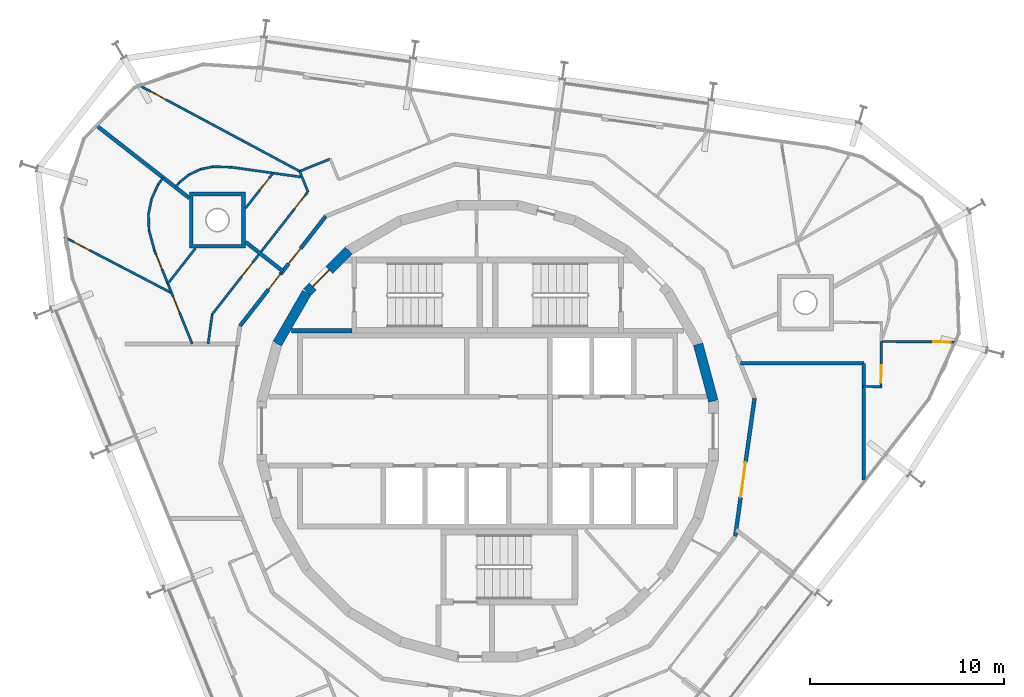
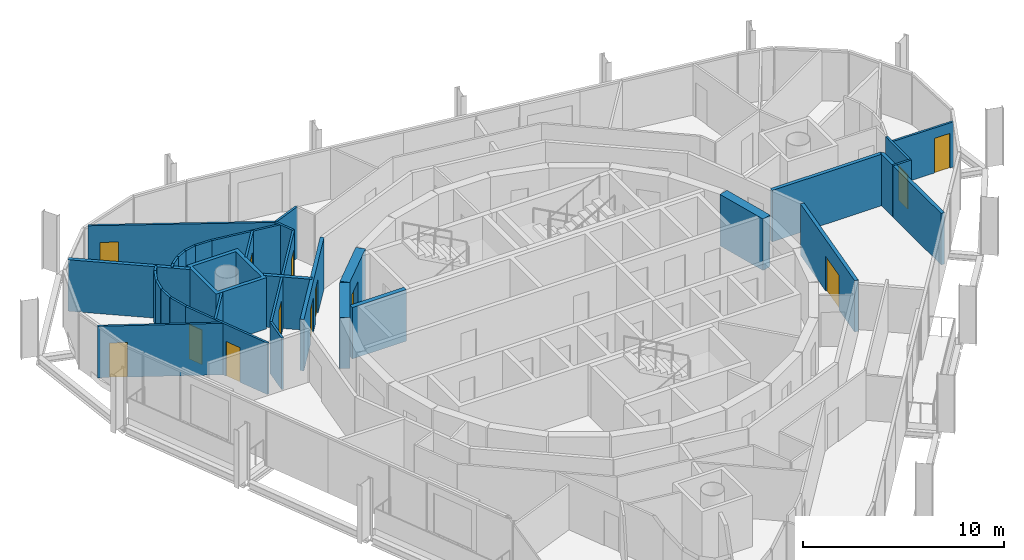
# One storey, part 12 of 15: 34 walls, 13 doors, 13 openings.
"""IFC4 building model written with IfcOpenShell, lengths in metres."""

from ifc_helpers import new_model, si_unit, direction, frame, frame_2d, origin, place, context, subcontext, project, spatial, polyline, rectangle, outline, extrude, material, layer, layer_set, type_object, element, fill, save


model = new_model("IFC4")

# Units and contexts
model_context = context("Model", 3, precision=1e-05, world=origin(), true_north=direction((0.0, 1.0)))
body_context = subcontext(model_context, "Body", "Model", "MODEL_VIEW")
ifc_project = project(units=[si_unit("LENGTHUNIT", "METRE"), si_unit("AREAUNIT", "SQUARE_METRE"), si_unit("VOLUMEUNIT", "CUBIC_METRE"), si_unit("PLANEANGLEUNIT", "RADIAN"), si_unit("MASSUNIT", "GRAM", prefix="KILO")], contexts=[model_context])

# Site, building, storey
site_placement = place(None, origin())
site = spatial("IfcSite", under=ifc_project, at=site_placement, CompositionType="ELEMENT")
building_placement = place(site_placement, origin())
building = spatial("IfcBuilding", under=site, at=building_placement, Name="Spindle Arch Residences", CompositionType="ELEMENT")
storey_placement = place(building_placement, frame((0.0, 0.0, 350.5)))
storey = spatial("IfcBuildingStorey", under=building, at=storey_placement, Name="L90", CompositionType="ELEMENT", Elevation=350.5)

# Wall
ifc_material_1 = material(Name="Concrete C50/60", Category="concrete")
ifc_layer_1 = layer(ifc_material_1, 0.5)
ifc_layer_set_1 = layer_set([ifc_layer_1], Name="Core outline wall 500")
wall_type_1 = type_object("IfcWallType", Name="Core outline wall 500", PredefinedType="SHEAR", material=ifc_layer_set_1)
wall_1_placement = place(storey_placement, frame((11.642822265625, 1.5498046875, 0.0), z_axis=(0.0, 0.0, 1.0), x_axis=(-0.258734743916, 0.965948410781, 0.0)))
element("IfcWall", 1, at=wall_1_placement, inside=storey, type_object=wall_type_1, Name="Core outline wall 7", PredefinedType="SHEAR", context=body_context, shape_type="SweptSolid", body=[
    extrude(rectangle(XDim=3.03271484375, YDim=0.5, at=frame_2d((1.516357421875, 0.0))), origin(), (0.0, 0.0, 1.0), 3.1201171875),
])

# Wall, opening, door
wall_2_placement = place(storey_placement, frame((-7.163818359375, 9.30810546875, 0.0), z_axis=(0.0, 0.0, 1.0), x_axis=(-0.707106781187, -0.707106781187, 0.0)))
wall_2 = element("IfcWall", 2, at=wall_2_placement, inside=storey, type_object=wall_type_1, Name="Core outline wall 15", PredefinedType="SHEAR", context=body_context, shape_type="SweptSolid", body=[
    extrude(rectangle(XDim=3.032470703125, YDim=0.5, at=frame_2d((1.51611328125, 0.0))), origin(), (0.0, 0.0, 1.0), 3.1201171875),
])
opening_1_placement = place(wall_2_placement, frame((1.416259765625, 0.0, 0.0)))
opening_1 = element("IfcOpeningElement", 3, at=opening_1_placement, cuts=wall_2, Name="Opening R9B1-AD02", PredefinedType="OPENING", context=body_context, shape_type="SweptSolid", body=[
    extrude(rectangle(XDim=1.199951171875, YDim=2.10009765625, at=frame_2d((0.60009765625, 1.050048828125))), frame((0.0, 0.260009765625, 0.0), z_axis=(0.0, -1.0, 0.0), x_axis=(1.0, 0.0, 0.0)), (0.0, 0.0, 1.0), 0.52001953125),
])
ifc_material_2 = material(Name="Steel, fire-resisting door", Category="steel")
door_type_1 = type_object("IfcDoorType", Name="Stair airlock door 1200x2100", OperationType="SINGLE_SWING_LEFT", PredefinedType="DOOR", material=ifc_material_2)
door_1_placement = place(opening_1_placement, origin())
door_1 = element("IfcDoor", 4, at=door_1_placement, inside=storey, type_object=door_type_1, Name="Stair airlock door R9B1-AD02", OperationType="SINGLE_SWING_RIGHT", OverallHeight=2.10009765625, OverallWidth=1.199951171875, PredefinedType="DOOR", context=body_context, shape_type="SweptSolid", body=[
    extrude(rectangle(XDim=1.199951171875, YDim=2.10009765625, at=frame_2d((0.60009765625, 1.050048828125))), frame((0.0, 0.02490234375, 0.0), z_axis=(0.0, -1.0, 0.0), x_axis=(1.0, 0.0, 0.0)), (0.0, 0.0, 1.0), 0.050048828125),
])
fill(opening_1, door_1)

# Wall
wall_3_placement = place(storey_placement, frame((-9.32861328125, 7.13671875, 0.0), z_axis=(0.0, 0.0, 1.0), x_axis=(-0.500087131594, -0.865975092491, 0.0)))
element("IfcWall", 5, at=wall_3_placement, inside=storey, type_object=wall_type_1, Name="Core outline wall 16", PredefinedType="SHEAR", context=body_context, shape_type="SweptSolid", body=[
    extrude(rectangle(XDim=3.03271484375, YDim=0.5, at=frame_2d((1.516357421875, 0.0))), origin(), (0.0, 0.0, 1.0), 3.1201171875),
])

# Wall, openings, doors
ifc_material_3 = material(Name="Calcium silicate block, plastered")
ifc_layer_2 = layer(ifc_material_3, 0.199951171875)
ifc_layer_set_2 = layer_set([ifc_layer_2], Name="Corridor wall 200")
wall_type_2 = type_object("IfcWallType", Name="Corridor wall 200", PredefinedType="STANDARD", material=ifc_layer_set_2)
wall_4_placement = place(storey_placement, frame((-8.348876953125, 11.0791015625, 0.0), z_axis=(0.0, 0.0, 1.0), x_axis=(-0.615669112324, -0.78800478687, 0.0)))
wall_4 = element("IfcWall", 6, at=wall_4_placement, inside=storey, type_object=wall_type_2, Name="Corridor wall R9B1-W012", PredefinedType="STANDARD", context=body_context, shape_type="SweptSolid", body=[
    extrude(rectangle(XDim=7.18115234375, YDim=0.199951171875, at=frame_2d((3.590576171875, 0.0))), origin(), (0.0, 0.0, 1.0), 3.1201171875),
])
opening_2_placement = place(wall_4_placement, frame((2.10009765625, 0.0, 0.0)))
opening_2 = element("IfcOpeningElement", 7, at=opening_2_placement, cuts=wall_4, Name="Opening R9B1-FD03", PredefinedType="OPENING", context=body_context, shape_type="SweptSolid", body=[
    extrude(rectangle(XDim=1.0, YDim=2.10009765625, at=frame_2d((0.5, 1.050048828125))), frame((0.0, 0.10986328125, 0.0), z_axis=(0.0, -1.0, 0.0), x_axis=(1.0, 0.0, 0.0)), (0.0, 0.0, 1.0), 0.219970703125),
])
opening_3_placement = place(wall_4_placement, frame((3.790283203125, 0.0, 0.0)))
opening_3 = element("IfcOpeningElement", 8, at=opening_3_placement, cuts=wall_4, Name="Opening R9B1-FD04", PredefinedType="OPENING", context=body_context, shape_type="SweptSolid", body=[
    extrude(rectangle(XDim=1.0, YDim=2.10009765625, at=frame_2d((0.5, 1.050048828125))), frame((0.0, 0.10986328125, 0.0), z_axis=(0.0, -1.0, 0.0), x_axis=(1.0, 0.0, 0.0)), (0.0, 0.0, 1.0), 0.219970703125),
])
ifc_material_4 = material(Name="Timber, fire-resisting door set", Category="wood")
door_type_2 = type_object("IfcDoorType", Name="Flat entrance door 1000x2100", OperationType="NOTDEFINED", PredefinedType="DOOR", material=ifc_material_4)
door_2_placement = place(opening_2_placement, origin())
door_2 = element("IfcDoor", 9, at=door_2_placement, inside=storey, type_object=door_type_2, Name="Flat entrance door R9B1-FD03", OperationType="SINGLE_SWING_RIGHT", OverallHeight=2.10009765625, OverallWidth=1.0, PredefinedType="DOOR", context=body_context, shape_type="SweptSolid", body=[
    extrude(rectangle(XDim=1.0, YDim=2.10009765625, at=frame_2d((0.5, 1.050048828125))), frame((0.0, 0.02490234375, 0.0), z_axis=(0.0, -1.0, 0.0), x_axis=(1.0, 0.0, 0.0)), (0.0, 0.0, 1.0), 0.050048828125),
])
fill(opening_2, door_2)
door_3_placement = place(opening_3_placement, origin())
door_3 = element("IfcDoor", 10, at=door_3_placement, inside=storey, type_object=door_type_2, Name="Flat entrance door R9B1-FD04", OperationType="SINGLE_SWING_LEFT", OverallHeight=2.10009765625, OverallWidth=1.0, PredefinedType="DOOR", context=body_context, shape_type="SweptSolid", body=[
    extrude(rectangle(XDim=1.0, YDim=2.10009765625, at=frame_2d((0.5, 1.050048828125))), frame((0.0, 0.02490234375, 0.0), z_axis=(0.0, -1.0, 0.0), x_axis=(1.0, 0.0, 0.0)), (0.0, 0.0, 1.0), 0.050048828125),
])
fill(opening_3, door_3)

# Wall, opening, door
ifc_material_5 = material(Name="Calcium silicate block, plastered")
ifc_layer_3 = layer(ifc_material_5, 0.199951171875)
ifc_layer_set_3 = layer_set([ifc_layer_3], Name="Fire-lift lobby bay wall 200")
wall_type_3 = type_object("IfcWallType", Name="Fire-lift lobby bay wall 200", PredefinedType="STANDARD", material=ifc_layer_set_3)
wall_5_placement = place(storey_placement, frame((12.77001953125, -5.42041015625, 0.0), z_axis=(0.0, 0.0, 1.0), x_axis=(0.139155334385, 0.990270565508, 0.0)))
wall_5 = element("IfcWall", 11, at=wall_5_placement, inside=storey, type_object=wall_type_3, Name="Fire-lift lobby bay wall R9B1-W004", PredefinedType="STANDARD", context=body_context, shape_type="SweptSolid", body=[
    extrude(rectangle(XDim=7.180908203125, YDim=0.199951171875, at=frame_2d((3.59033203125, 0.0))), origin(), (0.0, 0.0, 1.0), 3.1201171875),
])
opening_4_placement = place(wall_5_placement, frame((2.039306640625, 0.0, 0.0)))
opening_4 = element("IfcOpeningElement", 12, at=opening_4_placement, cuts=wall_5, Name="Opening R9B1-FB01", PredefinedType="OPENING", context=body_context, shape_type="SweptSolid", body=[
    extrude(rectangle(XDim=1.800048828125, YDim=2.10009765625, at=frame_2d((0.89990234375, 1.050048828125))), frame((0.0, 0.10986328125, 0.0), z_axis=(0.0, -1.0, 0.0), x_axis=(1.0, 0.0, 0.0)), (0.0, 0.0, 1.0), 0.219970703125),
])
ifc_material_6 = material(Name="Steel, fire-resisting door", Category="steel")
door_type_3 = type_object("IfcDoorType", Name="Fire-lift lobby bay door 1800x2100", OperationType="NOTDEFINED", PredefinedType="DOOR", material=ifc_material_6)
door_4_placement = place(opening_4_placement, origin())
door_4 = element("IfcDoor", 13, at=door_4_placement, inside=storey, type_object=door_type_3, Name="Fire-lift lobby bay door R9B1-FB01", OperationType="DOUBLE_DOOR_SINGLE_SWING", OverallHeight=2.10009765625, OverallWidth=1.800048828125, PredefinedType="DOOR", context=body_context, shape_type="SweptSolid", body=[
    extrude(rectangle(XDim=1.800048828125, YDim=2.10009765625, at=frame_2d((0.89990234375, 1.050048828125))), frame((0.0, 0.02490234375, 0.0), z_axis=(0.0, -1.0, 0.0), x_axis=(1.0, 0.0, 0.0)), (0.0, 0.0, 1.0), 0.050048828125),
])
fill(opening_4, door_4)

# Walls
wall_6_placement = place(storey_placement, frame((19.39990234375, -2.519287109375, 0.0), z_axis=(0.0, 0.0, 1.0), x_axis=(0.0, 1.0, 0.0)))
element("IfcWall", 14, at=wall_6_placement, inside=storey, type_object=wall_type_3, Name="Fire-lift lobby bay wall R9B1-W019", PredefinedType="STANDARD", context=body_context, shape_type="SweptSolid", body=[
    extrude(rectangle(XDim=6.019287109375, YDim=0.199951171875, at=frame_2d((3.009765625, 0.0))), origin(), (0.0, 0.0, 1.0), 3.1201171875),
])
wall_7_placement = place(storey_placement, frame((19.39990234375, 3.5, 0.0), z_axis=(0.0, 0.0, 1.0), x_axis=(-1.0, 0.0, 0.0)))
element("IfcWall", 15, at=wall_7_placement, inside=storey, type_object=wall_type_3, Name="Fire-lift lobby bay wall R9B1-W020", PredefinedType="STANDARD", context=body_context, shape_type="SweptSolid", body=[
    extrude(rectangle(XDim=6.361572265625, YDim=0.199951171875, at=frame_2d((3.1806640625, 0.0))), origin(), (0.0, 0.0, 1.0), 3.1201171875),
])
ifc_material_7 = material(Name="Plasterboard on steel studs", Category="steel")
ifc_layer_4 = layer(ifc_material_7, 0.1201171875)
ifc_layer_set_4 = layer_set([ifc_layer_4], Name="Flat partition 120")
wall_type_4 = type_object("IfcWallType", Name="Flat partition 120", PredefinedType="PARTITIONING", material=ifc_layer_set_4)
wall_8_placement = place(storey_placement, frame((19.300048828125, 2.302001953125, 0.0), z_axis=(0.0, 0.0, 1.0), x_axis=(0.999958506341, -0.009109643015, 0.0)))
element("IfcWall", 16, at=wall_8_placement, inside=storey, type_object=wall_type_4, Name="Flat partition R9B1-W030", PredefinedType="PARTITIONING", context=body_context, shape_type="SweptSolid", body=[
    extrude(rectangle(XDim=1.045166015625, YDim=0.1201171875, at=frame_2d((0.5224609375, 0.0))), origin(), (0.0, 0.0, 1.0), 3.1201171875),
])

# Wall, opening, door
wall_9_placement = place(storey_placement, frame((20.285400390625, 2.29296875, 0.0), z_axis=(0.0, 0.0, 1.0), x_axis=(0.008900171034, 0.999960392693, 0.0)))
wall_9 = element("IfcWall", 17, at=wall_9_placement, inside=storey, type_object=wall_type_4, Name="Flat partition R9B1-W031", PredefinedType="PARTITIONING", context=body_context, shape_type="SweptSolid", body=[
    extrude(rectangle(XDim=2.33154296875, YDim=0.1201171875, at=frame_2d((1.165771484375, 0.0))), origin(), (0.0, 0.0, 1.0), 3.1201171875),
])
opening_5_placement = place(wall_9_placement, frame((0.199951171875, 0.0, 0.0)))
opening_5 = element("IfcOpeningElement", 18, at=opening_5_placement, cuts=wall_9, Name="Opening R9B1-ID01", PredefinedType="OPENING", context=body_context, shape_type="SweptSolid", body=[
    extrude(rectangle(XDim=0.89990234375, YDim=2.10009765625, at=frame_2d((0.449951171875, 1.050048828125))), frame((0.0, 0.070068359375, 0.0), z_axis=(0.0, -1.0, 0.0), x_axis=(1.0, 0.0, 0.0)), (0.0, 0.0, 1.0), 0.14013671875),
])
ifc_material_8 = material(Name="Timber door set", Category="wood")
door_type_4 = type_object("IfcDoorType", Name="Room door 900x2100", OperationType="NOTDEFINED", PredefinedType="DOOR", material=ifc_material_8)
door_5_placement = place(opening_5_placement, origin())
door_5 = element("IfcDoor", 19, at=door_5_placement, inside=storey, type_object=door_type_4, Name="Room door R9B1-ID01", OperationType="SINGLE_SWING_RIGHT", OverallHeight=2.10009765625, OverallWidth=0.89990234375, PredefinedType="DOOR", context=body_context, shape_type="SweptSolid", body=[
    extrude(rectangle(XDim=0.89990234375, YDim=2.10009765625, at=frame_2d((0.449951171875, 1.050048828125))), frame((0.0, 0.02490234375, 0.0), z_axis=(0.0, -1.0, 0.0), x_axis=(1.0, 0.0, 0.0)), (0.0, 0.0, 1.0), 0.050048828125),
])
fill(opening_5, door_5)

# Walls
wall_10_placement = place(storey_placement, frame((-8.114501953125, 14.03857421875, 0.0), z_axis=(0.0, 0.0, 1.0), x_axis=(-0.927153589835, -0.374681492546, 0.0)))
element("IfcWall", 20, at=wall_10_placement, inside=storey, type_object=wall_type_4, Name="Flat partition R9B1-W051", PredefinedType="PARTITIONING", context=body_context, shape_type="SweptSolid", body=[
    extrude(rectangle(XDim=1.699951171875, YDim=0.1201171875, at=frame_2d((0.85009765625, 0.0))), origin(), (0.0, 0.0, 1.0), 3.1201171875),
])
wall_11_placement = place(storey_placement, frame((-9.690673828125, 13.401611328125, 0.0), z_axis=(0.0, 0.0, 1.0), x_axis=(0.374484003097, -0.927233374844, 0.0)))
element("IfcWall", 21, at=wall_11_placement, inside=storey, type_object=wall_type_4, Name="Flat partition R9B1-W052", PredefinedType="PARTITIONING", context=body_context, shape_type="SweptSolid", body=[
    extrude(rectangle(XDim=1.156005859375, YDim=0.1201171875, at=frame_2d((0.578125, 0.0))), origin(), (0.0, 0.0, 1.0), 3.1201171875),
])

# Wall, openings, doors
wall_12_placement = place(storey_placement, frame((-9.283447265625, 12.3193359375, 0.0), z_axis=(0.0, 0.0, 1.0), x_axis=(-0.61567489546, -0.788000268464, 0.0)))
wall_12 = element("IfcWall", 22, at=wall_12_placement, inside=storey, type_object=wall_type_4, Name="Flat partition R9B1-W053", PredefinedType="PARTITIONING", context=body_context, shape_type="SweptSolid", body=[
    extrude(rectangle(XDim=7.98486328125, YDim=0.1201171875, at=frame_2d((3.992431640625, 0.0))), origin(), (0.0, 0.0, 1.0), 3.1201171875),
])
opening_6_placement = place(wall_12_placement, frame((0.199951171875, 0.0, 0.0)))
opening_6 = element("IfcOpeningElement", 23, at=opening_6_placement, cuts=wall_12, Name="Opening R9B1-ID10", PredefinedType="OPENING", context=body_context, shape_type="SweptSolid", body=[
    extrude(rectangle(XDim=0.89990234375, YDim=2.10009765625, at=frame_2d((0.449951171875, 1.050048828125))), frame((0.0, 0.070068359375, 0.0), z_axis=(0.0, -1.0, 0.0), x_axis=(1.0, 0.0, 0.0)), (0.0, 0.0, 1.0), 0.14013671875),
])
opening_7_placement = place(wall_12_placement, frame((4.59228515625, 0.0, 0.0)))
opening_7 = element("IfcOpeningElement", 24, at=opening_7_placement, cuts=wall_12, Name="Opening R9B1-ID12", PredefinedType="OPENING", context=body_context, shape_type="SweptSolid", body=[
    extrude(rectangle(XDim=0.89990234375, YDim=2.10009765625, at=frame_2d((0.449951171875, 1.050048828125))), frame((0.0, 0.070068359375, 0.0), z_axis=(0.0, -1.0, 0.0), x_axis=(1.0, 0.0, 0.0)), (0.0, 0.0, 1.0), 0.14013671875),
])
door_6_placement = place(opening_6_placement, origin())
door_6 = element("IfcDoor", 25, at=door_6_placement, inside=storey, type_object=door_type_4, Name="Room door R9B1-ID10", OperationType="SINGLE_SWING_RIGHT", OverallHeight=2.10009765625, OverallWidth=0.89990234375, PredefinedType="DOOR", context=body_context, shape_type="SweptSolid", body=[
    extrude(rectangle(XDim=0.89990234375, YDim=2.10009765625, at=frame_2d((0.449951171875, 1.050048828125))), frame((0.0, 0.02490234375, 0.0), z_axis=(0.0, -1.0, 0.0), x_axis=(1.0, 0.0, 0.0)), (0.0, 0.0, 1.0), 0.050048828125),
])
fill(opening_6, door_6)
door_7_placement = place(opening_7_placement, origin())
door_7 = element("IfcDoor", 26, at=door_7_placement, inside=storey, type_object=door_type_4, Name="Room door R9B1-ID12", OperationType="SINGLE_SWING_LEFT", OverallHeight=2.10009765625, OverallWidth=0.89990234375, PredefinedType="DOOR", context=body_context, shape_type="SweptSolid", body=[
    extrude(rectangle(XDim=0.89990234375, YDim=2.10009765625, at=frame_2d((0.449951171875, 1.050048828125))), frame((0.0, 0.02490234375, 0.0), z_axis=(0.0, -1.0, 0.0), x_axis=(1.0, 0.0, 0.0)), (0.0, 0.0, 1.0), 0.050048828125),
])
fill(opening_7, door_7)

# Wall, opening, door
wall_13_placement = place(storey_placement, frame((-17.895751953125, 17.796630859375, 0.0), z_axis=(0.0, 0.0, 1.0), x_axis=(0.88150492406, -0.4721748287, 0.0)))
wall_13 = element("IfcWall", 27, at=wall_13_placement, inside=storey, type_object=wall_type_4, Name="Flat partition R9B1-W055", PredefinedType="PARTITIONING", context=body_context, shape_type="SweptSolid", body=[
    extrude(rectangle(XDim=9.30810546875, YDim=0.1201171875, at=frame_2d((4.654052734375, 0.0))), origin(), (0.0, 0.0, 1.0), 3.1201171875),
])
opening_8_placement = place(wall_13_placement, frame((0.60009765625, 0.0, 0.0)))
opening_8 = element("IfcOpeningElement", 28, at=opening_8_placement, cuts=wall_13, Name="Opening R9B1-ID11", PredefinedType="OPENING", context=body_context, shape_type="SweptSolid", body=[
    extrude(rectangle(XDim=0.89990234375, YDim=2.10009765625, at=frame_2d((0.449951171875, 1.050048828125))), frame((0.0, 0.070068359375, 0.0), z_axis=(0.0, -1.0, 0.0), x_axis=(1.0, 0.0, 0.0)), (0.0, 0.0, 1.0), 0.14013671875),
])
door_8_placement = place(opening_8_placement, origin())
door_8 = element("IfcDoor", 29, at=door_8_placement, inside=storey, type_object=door_type_4, Name="Room door R9B1-ID11", OperationType="SINGLE_SWING_RIGHT", OverallHeight=2.10009765625, OverallWidth=0.89990234375, PredefinedType="DOOR", context=body_context, shape_type="SweptSolid", body=[
    extrude(rectangle(XDim=0.89990234375, YDim=2.10009765625, at=frame_2d((0.449951171875, 1.050048828125))), frame((0.0, 0.02490234375, 0.0), z_axis=(0.0, -1.0, 0.0), x_axis=(1.0, 0.0, 0.0)), (0.0, 0.0, 1.0), 0.050048828125),
])
fill(opening_8, door_8)

wall_14_placement = place(storey_placement, frame((-11.063720703125, 13.3076171875, 0.0), z_axis=(0.0, 0.0, 1.0), x_axis=(-0.615681126827, -0.787995399777, 0.0)))
wall_14 = element("IfcWall", 30, at=wall_14_placement, inside=storey, type_object=wall_type_4, Name="Flat partition R9B1-W056", PredefinedType="PARTITIONING", context=body_context, shape_type="SweptSolid", body=[
    extrude(rectangle(XDim=2.299560546875, YDim=0.1201171875, at=frame_2d((1.14990234375, 0.0))), origin(), (0.0, 0.0, 1.0), 3.1201171875),
])
opening_9_placement = place(wall_14_placement, frame((0.320068359375, 0.0, 0.0)))
opening_9 = element("IfcOpeningElement", 31, at=opening_9_placement, cuts=wall_14, Name="Opening R9B1-BD03", PredefinedType="OPENING", context=body_context, shape_type="SweptSolid", body=[
    extrude(rectangle(XDim=0.800048828125, YDim=2.10009765625, at=frame_2d((0.39990234375, 1.050048828125))), frame((0.0, 0.070068359375, 0.0), z_axis=(0.0, -1.0, 0.0), x_axis=(1.0, 0.0, 0.0)), (0.0, 0.0, 1.0), 0.14013671875),
])
ifc_material_9 = material(Name="Timber door set", Category="wood")
door_type_5 = type_object("IfcDoorType", Name="Bathroom door 800x2100", OperationType="NOTDEFINED", PredefinedType="DOOR", material=ifc_material_9)
door_9_placement = place(opening_9_placement, origin())
door_9 = element("IfcDoor", 32, at=door_9_placement, inside=storey, type_object=door_type_5, Name="Bathroom door R9B1-BD03", OperationType="SINGLE_SWING_RIGHT", OverallHeight=2.10009765625, OverallWidth=0.800048828125, PredefinedType="DOOR", context=body_context, shape_type="SweptSolid", body=[
    extrude(rectangle(XDim=0.800048828125, YDim=2.10009765625, at=frame_2d((0.39990234375, 1.050048828125))), frame((0.0, 0.02490234375, 0.0), z_axis=(0.0, -1.0, 0.0), x_axis=(1.0, 0.0, 0.0)), (0.0, 0.0, 1.0), 0.050048828125),
])
fill(opening_9, door_9)

# Walls
wall_15_placement = place(storey_placement, frame((-9.56787109375, 13.097412109375, 0.0), z_axis=(0.0, 0.0, 1.0), x_axis=(-0.990266931728, 0.13918119099, 0.0)))
element("IfcWall", 33, at=wall_15_placement, inside=storey, type_object=wall_type_4, Name="Flat partition R9B1-W057", PredefinedType="PARTITIONING", context=body_context, shape_type="SweptSolid", body=[
    extrude(rectangle(XDim=3.708251953125, YDim=0.1201171875, at=frame_2d((1.85400390625, 0.0))), origin(), (0.0, 0.0, 1.0), 3.1201171875),
])
wall_16_placement = place(storey_placement, frame((-13.239990234375, 13.613525390625, 0.0), z_axis=(0.0, 0.0, 1.0), x_axis=(-0.999730529074, 0.023213557177, 0.0)))
element("IfcWall", 34, at=wall_16_placement, inside=storey, type_object=wall_type_4, Name="Flat partition R9B1-W058", PredefinedType="PARTITIONING", context=body_context, shape_type="SweptSolid", body=[
    extrude(rectangle(XDim=0.946533203125, YDim=0.1201171875, at=frame_2d((0.47314453125, 0.0))), origin(), (0.0, 0.0, 1.0), 3.1201171875),
])
wall_17_placement = place(storey_placement, frame((-14.186279296875, 13.635498046875, 0.0), z_axis=(0.0, 0.0, 1.0), x_axis=(-0.978217752025, -0.207581380725, 0.0)))
element("IfcWall", 35, at=wall_17_placement, inside=storey, type_object=wall_type_4, Name="Flat partition R9B1-W059", PredefinedType="PARTITIONING", context=body_context, shape_type="SweptSolid", body=[
    extrude(rectangle(XDim=0.64208984375, YDim=0.1201171875, at=frame_2d((0.321044921875, 0.0))), origin(), (0.0, 0.0, 1.0), 3.1201171875),
])
for number, where, z_axis, x_axis, name in (
    (36, (-14.814453125, 13.502197265625, 0.0), (0.0, 0.0, 1.0), (-0.903660381662, -0.428249827337, 0.0), "Flat partition R9B1-W060"),
    (37, (-15.39453125, 13.227294921875, 0.0), (0.0, 0.0, 1.0), (-0.780943026594, -0.624602264816, 0.0), "Flat partition R9B1-W061"),
):
    element("IfcWall", number, at=place(storey_placement, frame(where, z_axis=z_axis, x_axis=x_axis)), inside=storey, type_object=wall_type_4, Name=name, PredefinedType="PARTITIONING", context=body_context, shape_type="SweptSolid", body=[
        extrude(rectangle(XDim=0.641845703125, YDim=0.1201171875, at=frame_2d((0.32080078125, 0.0))), origin(), (0.0, 0.0, 1.0), 3.1201171875),
    ])
wall_18_placement = place(storey_placement, frame((-15.895751953125, 12.826416015625, 0.0), z_axis=(0.0, 0.0, 1.0), x_axis=(-0.615466865985, -0.788162760396, 0.0)))
element("IfcWall", 38, at=wall_18_placement, inside=storey, type_object=wall_type_4, Name="Flat partition R9B1-W062", PredefinedType="PARTITIONING", context=body_context, shape_type="SweptSolid", body=[
    extrude(rectangle(XDim=0.32080078125, YDim=0.1201171875, at=frame_2d((0.160400390625, 0.0))), origin(), (0.0, 0.0, 1.0), 3.1201171875),
])
wall_19_placement = place(storey_placement, frame((-14.199462890625, 6.02734375, 0.0), z_axis=(0.0, 0.0, 1.0), x_axis=(-0.139138413837, -0.990272943079, 0.0)))
element("IfcWall", 39, at=wall_19_placement, inside=storey, type_object=wall_type_4, Name="Flat partition R9B1-W063", PredefinedType="PARTITIONING", context=body_context, shape_type="SweptSolid", body=[
    extrude(rectangle(XDim=1.542236328125, YDim=0.1201171875, at=frame_2d((0.77099609375, 0.0))), origin(), (0.0, 0.0, 1.0), 3.1201171875),
])
wall_20_placement = place(storey_placement, frame((-16.7236328125, 13.066162109375, 0.0), z_axis=(0.0, 0.0, 1.0), x_axis=(-0.615895388651, -0.787827944565, 0.0)))
element("IfcWall", 40, at=wall_20_placement, inside=storey, type_object=wall_type_4, Name="Flat partition R9B1-W064", PredefinedType="PARTITIONING", context=body_context, shape_type="SweptSolid", body=[
    extrude(rectangle(XDim=0.41455078125, YDim=0.1201171875, at=frame_2d((0.207275390625, 0.0))), origin(), (0.0, 0.0, 1.0), 3.1201171875),
])
for number, where, z_axis, x_axis, name in (
    (41, (-16.97900390625, 12.739501953125, 0.0), (0.0, 0.0, 1.0), (-0.417040041866, -0.90888811384, 0.0), "Flat partition R9B1-W065"),
    (42, (-17.32470703125, 11.986083984375, 0.0), (0.0, 0.0, 1.0), (-0.196739117864, -0.980455873307, 0.0), "Flat partition R9B1-W066"),
    (43, (-17.48779296875, 11.17333984375, 0.0), (0.0, 0.0, 1.0), (0.03505065691, -0.999385536943, 0.0), "Flat partition R9B1-W067"),
):
    element("IfcWall", number, at=place(storey_placement, frame(where, z_axis=z_axis, x_axis=x_axis)), inside=storey, type_object=wall_type_4, Name=name, PredefinedType="PARTITIONING", context=body_context, shape_type="SweptSolid", body=[
        extrude(rectangle(XDim=0.828857421875, YDim=0.1201171875, at=frame_2d((0.41455078125, 0.0))), origin(), (0.0, 0.0, 1.0), 3.1201171875),
    ])
wall_21_placement = place(storey_placement, frame((-17.458740234375, 10.344970703125, 0.0), z_axis=(0.0, 0.0, 1.0), x_axis=(0.264409755069, -0.964410432038, 0.0)))
element("IfcWall", 44, at=wall_21_placement, inside=storey, type_object=wall_type_4, Name="Flat partition R9B1-W068", PredefinedType="PARTITIONING", context=body_context, shape_type="SweptSolid", body=[
    extrude(rectangle(XDim=1.086669921875, YDim=0.1201171875, at=frame_2d((0.54345703125, 0.0))), origin(), (0.0, 0.0, 1.0), 3.1201171875),
])

# Wall, openings, doors
wall_22_placement = place(storey_placement, frame((-17.17138671875, 9.296875, 0.0), z_axis=(0.0, 0.0, 1.0), x_axis=(0.374594127493, -0.927188891029, 0.0)))
wall_22 = element("IfcWall", 45, at=wall_22_placement, inside=storey, type_object=wall_type_4, Name="Flat partition R9B1-W069", PredefinedType="PARTITIONING", context=body_context, shape_type="SweptSolid", body=[
    extrude(rectangle(XDim=5.173583984375, YDim=0.1201171875, at=frame_2d((2.5869140625, 0.0))), origin(), (0.0, 0.0, 1.0), 3.1201171875),
])
opening_10_placement = place(wall_22_placement, frame((2.548095703125, 0.0, 0.0)))
opening_10 = element("IfcOpeningElement", 46, at=opening_10_placement, cuts=wall_22, Name="Opening R9B1-ID13", PredefinedType="OPENING", context=body_context, shape_type="SweptSolid", body=[
    extrude(rectangle(XDim=0.89990234375, YDim=2.10009765625, at=frame_2d((0.449951171875, 1.050048828125))), frame((0.0, 0.070068359375, 0.0), z_axis=(0.0, -1.0, 0.0), x_axis=(1.0, 0.0, 0.0)), (0.0, 0.0, 1.0), 0.14013671875),
])
opening_11_placement = place(wall_22_placement, frame((0.199951171875, 0.0, 0.0)))
opening_11 = element("IfcOpeningElement", 47, at=opening_11_placement, cuts=wall_22, Name="Opening R9B1-BD04", PredefinedType="OPENING", context=body_context, shape_type="SweptSolid", body=[
    extrude(rectangle(XDim=0.800048828125, YDim=2.10009765625, at=frame_2d((0.39990234375, 1.050048828125))), frame((0.0, 0.070068359375, 0.0), z_axis=(0.0, -1.0, 0.0), x_axis=(1.0, 0.0, 0.0)), (0.0, 0.0, 1.0), 0.14013671875),
])
door_10_placement = place(opening_11_placement, origin())
door_10 = element("IfcDoor", 48, at=door_10_placement, inside=storey, type_object=door_type_5, Name="Bathroom door R9B1-BD04", OperationType="SINGLE_SWING_RIGHT", OverallHeight=2.10009765625, OverallWidth=0.800048828125, PredefinedType="DOOR", context=body_context, shape_type="SweptSolid", body=[
    extrude(rectangle(XDim=0.800048828125, YDim=2.10009765625, at=frame_2d((0.39990234375, 1.050048828125))), frame((0.0, 0.02490234375, 0.0), z_axis=(0.0, -1.0, 0.0), x_axis=(1.0, 0.0, 0.0)), (0.0, 0.0, 1.0), 0.050048828125),
])
fill(opening_11, door_10)
door_11_placement = place(opening_10_placement, origin())
door_11 = element("IfcDoor", 49, at=door_11_placement, inside=storey, type_object=door_type_4, Name="Room door R9B1-ID13", OperationType="SINGLE_SWING_LEFT", OverallHeight=2.10009765625, OverallWidth=0.89990234375, PredefinedType="DOOR", context=body_context, shape_type="SweptSolid", body=[
    extrude(rectangle(XDim=0.89990234375, YDim=2.10009765625, at=frame_2d((0.449951171875, 1.050048828125))), frame((0.0, 0.02490234375, 0.0), z_axis=(0.0, -1.0, 0.0), x_axis=(1.0, 0.0, 0.0)), (0.0, 0.0, 1.0), 0.050048828125),
])
fill(opening_10, door_11)

# Wall
wall_23_placement = place(storey_placement, frame((-16.48828125, 7.606201171875, 0.0), z_axis=(0.0, 0.0, 1.0), x_axis=(0.615637911154, 0.788029163388, 0.0)))
element("IfcWall", 50, at=wall_23_placement, inside=storey, type_object=wall_type_4, Name="Flat partition R9B1-W070", PredefinedType="PARTITIONING", context=body_context, shape_type="SweptSolid", body=[
    extrude(rectangle(XDim=2.318359375, YDim=0.1201171875, at=frame_2d((1.1591796875, 0.0))), origin(), (0.0, 0.0, 1.0), 3.1201171875),
])

# Wall, opening, door
wall_24_placement = place(storey_placement, frame((-21.85009765625, 10.021240234375, 0.0), z_axis=(0.0, 0.0, 1.0), x_axis=(0.886479988406, -0.462766928546, 0.0)))
wall_24 = element("IfcWall", 51, at=wall_24_placement, inside=storey, type_object=wall_type_4, Name="Flat partition R9B1-W071", PredefinedType="PARTITIONING", context=body_context, shape_type="SweptSolid", body=[
    extrude(rectangle(XDim=6.27001953125, YDim=0.1201171875, at=frame_2d((3.135009765625, 0.0))), origin(), (0.0, 0.0, 1.0), 3.1201171875),
])
opening_12_placement = place(wall_24_placement, frame((0.60009765625, 0.0, 0.0)))
opening_12 = element("IfcOpeningElement", 52, at=opening_12_placement, cuts=wall_24, Name="Opening R9B1-ID14", PredefinedType="OPENING", context=body_context, shape_type="SweptSolid", body=[
    extrude(rectangle(XDim=0.89990234375, YDim=2.10009765625, at=frame_2d((0.449951171875, 1.050048828125))), frame((0.0, 0.070068359375, 0.0), z_axis=(0.0, -1.0, 0.0), x_axis=(1.0, 0.0, 0.0)), (0.0, 0.0, 1.0), 0.14013671875),
])
door_12_placement = place(opening_12_placement, origin())
door_12 = element("IfcDoor", 53, at=door_12_placement, inside=storey, type_object=door_type_4, Name="Room door R9B1-ID14", OperationType="SINGLE_SWING_LEFT", OverallHeight=2.10009765625, OverallWidth=0.89990234375, PredefinedType="DOOR", context=body_context, shape_type="SweptSolid", body=[
    extrude(rectangle(XDim=0.89990234375, YDim=2.10009765625, at=frame_2d((0.449951171875, 1.050048828125))), frame((0.0, 0.02490234375, 0.0), z_axis=(0.0, -1.0, 0.0), x_axis=(1.0, 0.0, 0.0)), (0.0, 0.0, 1.0), 0.050048828125),
])
fill(opening_12, door_12)

ifc_material_10 = material(Name="Plasterboard on steel studs", Category="steel")
ifc_layer_5 = layer(ifc_material_10, 0.1201171875)
ifc_layer_set_5 = layer_set([ifc_layer_5], Name="Flat partition 120 under beam 2730")
wall_type_5 = type_object("IfcWallType", Name="Flat partition 120 under beam 2730", PredefinedType="PARTITIONING", material=ifc_layer_set_5)
wall_25_placement = place(storey_placement, frame((24.084716796875, 4.5908203125, 0.0), z_axis=(0.0, 0.0, 1.0), x_axis=(-0.99996025077, 0.008916102255, 0.0)))
wall_25 = element("IfcWall", 54, at=wall_25_placement, inside=storey, type_object=wall_type_5, Name="Flat partition R9B1-W034", PredefinedType="PARTITIONING", context=body_context, shape_type="SweptSolid", body=[
    extrude(rectangle(XDim=3.77880859375, YDim=0.1201171875, at=frame_2d((1.889404296875, 0.0))), origin(), (0.0, 0.0, 1.0), 2.72998046875),
])
opening_13_placement = place(wall_25_placement, frame((0.199951171875, 0.0, 0.0)))
opening_13 = element("IfcOpeningElement", 55, at=opening_13_placement, cuts=wall_25, Name="Opening R9B1-ID03", PredefinedType="OPENING", context=body_context, shape_type="SweptSolid", body=[
    extrude(rectangle(XDim=0.89990234375, YDim=2.10009765625, at=frame_2d((0.449951171875, 1.050048828125))), frame((0.0, 0.070068359375, 0.0), z_axis=(0.0, -1.0, 0.0), x_axis=(1.0, 0.0, 0.0)), (0.0, 0.0, 1.0), 0.14013671875),
])
door_13_placement = place(opening_13_placement, origin())
door_13 = element("IfcDoor", 56, at=door_13_placement, inside=storey, type_object=door_type_4, Name="Room door R9B1-ID03", OperationType="SINGLE_SWING_RIGHT", OverallHeight=2.10009765625, OverallWidth=0.89990234375, PredefinedType="DOOR", context=body_context, shape_type="SweptSolid", body=[
    extrude(rectangle(XDim=0.89990234375, YDim=2.10009765625, at=frame_2d((0.449951171875, 1.050048828125))), frame((0.0, 0.02490234375, 0.0), z_axis=(0.0, -1.0, 0.0), x_axis=(1.0, 0.0, 0.0)), (0.0, 0.0, 1.0), 0.050048828125),
])
fill(opening_13, door_13)

# Walls
ifc_material_11 = material(Name="Calcium silicate block, plastered")
ifc_layer_6 = layer(ifc_material_11, 0.199951171875)
ifc_layer_set_6 = layer_set([ifc_layer_6], Name="Flat party wall 200")
wall_type_6 = type_object("IfcWallType", Name="Flat party wall 200", PredefinedType="STANDARD", material=ifc_layer_set_6)
wall_26_placement = place(storey_placement, frame((-12.4794921875, 9.75, 0.0), z_axis=(0.0, 0.0, 1.0), x_axis=(0.788050197026, -0.615610986717, 0.0)))
element("IfcWall", 57, at=wall_26_placement, inside=storey, type_object=wall_type_6, Name="Flat party wall R9B1-W025", PredefinedType="STANDARD", context=body_context, shape_type="SweptSolid", body=[
    extrude(rectangle(XDim=2.4365234375, YDim=0.199951171875, at=frame_2d((1.21826171875, 0.0))), origin(), (0.0, 0.0, 1.0), 3.1201171875),
])
wall_27_placement = place(storey_placement, frame((-20.19091796875, 15.77490234375, 0.0), z_axis=(0.0, 0.0, 1.0), x_axis=(0.788021948923, -0.615647145706, 0.0)))
element("IfcWall", 58, at=wall_27_placement, inside=storey, type_object=wall_type_6, Name="Flat party wall R9B1-W026", PredefinedType="STANDARD", context=body_context, shape_type="SweptSolid", body=[
    extrude(rectangle(XDim=6.105712890625, YDim=0.199951171875, at=frame_2d((3.052734375, 0.0))), origin(), (0.0, 0.0, 1.0), 3.1201171875),
])
ifc_material_12 = material(Name="Calcium silicate block, plastered")
ifc_layer_7 = layer(ifc_material_12, 0.199951171875)
ifc_layer_set_7 = layer_set([ifc_layer_7], Name="Mega-column casing wall 200")
wall_type_7 = type_object("IfcWallType", Name="Mega-column casing wall 200", PredefinedType="STANDARD", material=ifc_layer_set_7)
wall_28_placement = place(storey_placement, origin())
element("IfcWall", 59, at=wall_28_placement, inside=storey, type_object=wall_type_7, Name="Mega-column casing wall R9B1-WC02", PredefinedType="STANDARD", context=body_context, shape_type="SweptSolid", body=[
    extrude(outline(polyline([(-12.4794921875, 12.3330078125), (-12.4794921875, 9.43310546875), (-15.37939453125, 9.43310546875), (-15.37939453125, 12.3330078125), (-12.4794921875, 12.3330078125)]), holes=[polyline([(-15.179443359375, 9.633056640625), (-12.679443359375, 9.633056640625), (-12.679443359375, 12.133056640625), (-15.179443359375, 12.133056640625), (-15.179443359375, 9.633056640625)])]), origin(), (0.0, 0.0, 1.0), 3.1201171875),
])
ifc_material_13 = material(Name="Concrete C40/50", Category="concrete")
ifc_layer_8 = layer(ifc_material_13, 0.25)
ifc_layer_set_8 = layer_set([ifc_layer_8], Name="Stair airlock wall 250")
wall_type_8 = type_object("IfcWallType", Name="Stair airlock wall 250", PredefinedType="SHEAR", material=ifc_layer_set_8)
wall_29_placement = place(storey_placement, frame((-7.0, 5.175048828125, 0.0), z_axis=(0.0, 0.0, 1.0), x_axis=(-1.0, 0.0, 0.0)))
element("IfcWall", 60, at=wall_29_placement, inside=storey, type_object=wall_type_8, Name="Stair ST-2 airlock wall S", PredefinedType="SHEAR", context=body_context, shape_type="SweptSolid", body=[
    extrude(rectangle(XDim=3.10009765625, YDim=0.25, at=frame_2d((1.550048828125, 0.0))), origin(), (0.0, 0.0, 1.0), 3.1201171875),
])

save(model, "model.ifc")
